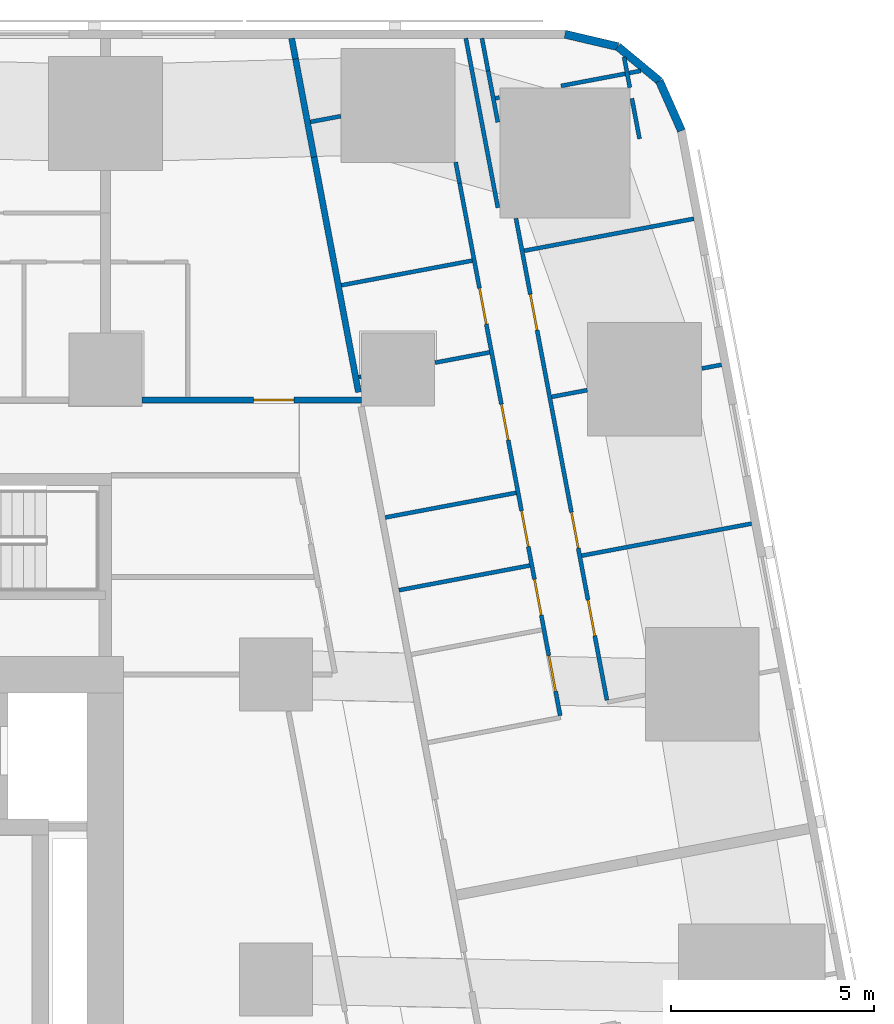
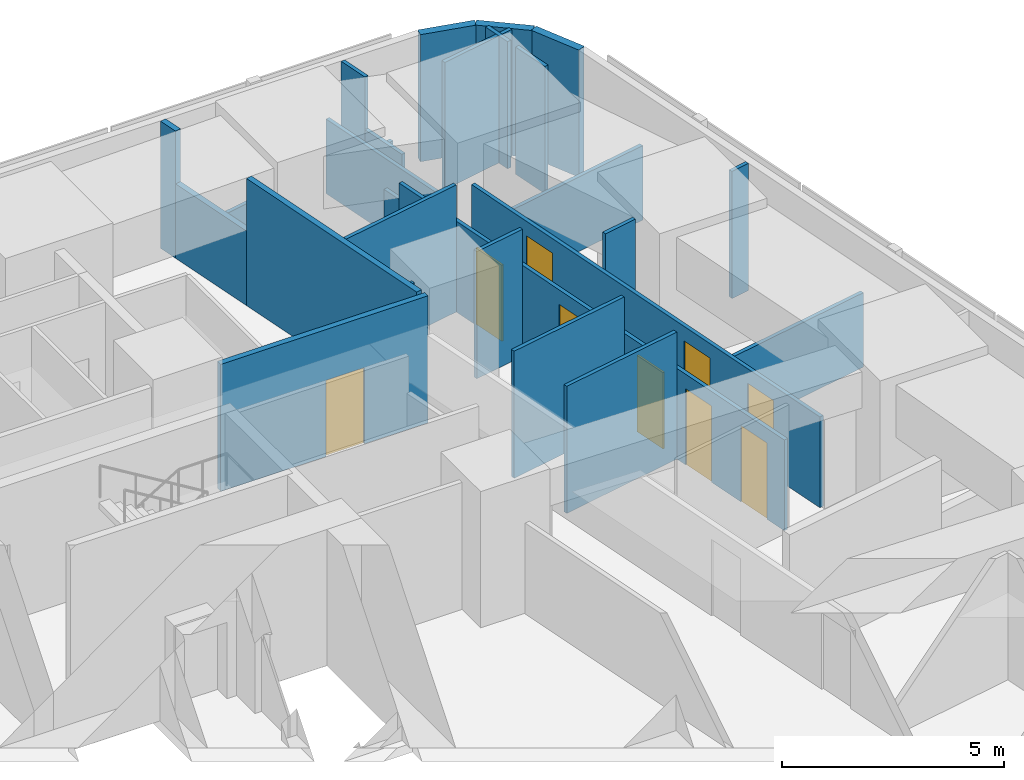
# One storey, part 11 of 16: 27 walls, 9 doors, 9 openings.
"""IFC4 building model written with IfcOpenShell, lengths in metres."""

from ifc_helpers import new_model, si_unit, direction, frame, frame_2d, origin, place, context, subcontext, project, spatial, rectangle, extrude, material, layer, layer_set, type_object, element, fill, save


model = new_model("IFC4")

# Units and contexts
model_context = context("Model", 3, precision=1e-05, world=origin(), true_north=direction((0.0, 1.0)))
body_context = subcontext(model_context, "Body", "Model", "MODEL_VIEW")
ifc_project = project(units=[si_unit("LENGTHUNIT", "METRE"), si_unit("AREAUNIT", "SQUARE_METRE"), si_unit("VOLUMEUNIT", "CUBIC_METRE"), si_unit("PLANEANGLEUNIT", "RADIAN"), si_unit("MASSUNIT", "GRAM", prefix="KILO")], contexts=[model_context])

# Site, building, storey
site_placement = place(None, origin())
site = spatial("IfcSite", under=ifc_project, at=site_placement, CompositionType="ELEMENT")
building_placement = place(site_placement, origin())
building = spatial("IfcBuilding", under=site, at=building_placement, Name="Sheger Commons Tower", CompositionType="ELEMENT")
storey_placement = place(building_placement, frame((0.0, 0.0, 61.25)))
storey = spatial("IfcBuildingStorey", under=building, at=storey_placement, Name="L15", CompositionType="ELEMENT", Elevation=61.25)

# Wall, opening, door
ifc_material_1 = material(Name="Hollow concrete block masonry, skimmed both sides", Category="masonry")
ifc_layer_1 = layer(ifc_material_1, 0.14990234375)
ifc_layer_set_1 = layer_set([ifc_layer_1], Name="CORRIDOR WALL 150")
wall_type_1 = type_object("IfcWallType", Name="CORRIDOR WALL 150", PredefinedType="SOLIDWALL", material=ifc_layer_set_1)
wall_1_placement = place(storey_placement, frame((29.700927734375, 36.75, 0.0), z_axis=(0.0, 0.0, 1.0), x_axis=(1.0, 0.0, 0.0)))
wall_1 = element("IfcWall", 1, at=wall_1_placement, inside=storey, type_object=wall_type_1, Name="Corridor wall L15", PredefinedType="SOLIDWALL", context=body_context, shape_type="SweptSolid", body=[
    extrude(rectangle(XDim=5.399169921875, YDim=0.14990234375, at=frame_2d((2.69970703125, 0.0))), origin(), (0.0, 0.0, 1.0), 3.5),
])
opening_1_placement = place(wall_1_placement, frame((2.7451171875, 0.0, 0.0)))
opening_1 = element("IfcOpeningElement", 2, at=opening_1_placement, cuts=wall_1, Name="Opening D1", PredefinedType="OPENING", context=body_context, shape_type="SweptSolid", body=[
    extrude(rectangle(XDim=1.0, YDim=2.10009765625, at=frame_2d((0.5, 1.050048828125))), frame((0.0, 0.0849609375, 0.0), z_axis=(0.0, -1.0, 0.0), x_axis=(1.0, 0.0, 0.0)), (0.0, 0.0, 1.0), 0.169921875),
])
ifc_material_2 = material(Name="Steel door set, fire rated", Category="steel")
door_type_1 = type_object("IfcDoorType", Name="FLAT ENTRANCE DOOR 1000x2100", OperationType="NOTDEFINED", PredefinedType="DOOR", material=ifc_material_2)
door_1_placement = place(opening_1_placement, origin())
door_1 = element("IfcDoor", 3, at=door_1_placement, inside=storey, type_object=door_type_1, Name="Flat entrance door", OperationType="SINGLE_SWING_RIGHT", OverallHeight=2.10009765625, OverallWidth=1.0, PredefinedType="DOOR", context=body_context, shape_type="SweptSolid", body=[
    extrude(rectangle(XDim=1.0, YDim=2.10009765625, at=frame_2d((0.5, 1.050048828125))), frame((0.0, 0.02490234375, 0.0), z_axis=(0.0, -1.0, 0.0), x_axis=(1.0, 0.0, 0.0)), (0.0, 0.0, 1.0), 0.050048828125),
])
fill(opening_1, door_1)

# Walls
wall_2_placement = place(storey_placement, frame((33.382080078125, 45.64990234375, 0.0), z_axis=(0.0, 0.0, 1.0), x_axis=(0.185657456326, -0.982614527122, 0.0)))
element("IfcWall", 4, at=wall_2_placement, inside=storey, type_object=wall_type_1, Name="Corridor wall L15", PredefinedType="SOLIDWALL", context=body_context, shape_type="SweptSolid", body=[
    extrude(rectangle(XDim=0.516845703125, YDim=0.14990234375, at=frame_2d((0.25830078125, 0.0))), origin(), (0.0, 0.0, 1.0), 3.5),
])
wall_3_placement = place(storey_placement, frame((33.47802734375, 45.14208984375, 0.0), z_axis=(0.0, 0.0, 1.0), x_axis=(0.185393362436, -0.982664388876, 0.0)))
element("IfcWall", 5, at=wall_3_placement, inside=storey, type_object=wall_type_1, Name="Corridor wall L15", PredefinedType="SOLIDWALL", context=body_context, shape_type="SweptSolid", body=[
    extrude(rectangle(XDim=2.45458984375, YDim=0.14990234375, at=frame_2d((1.227294921875, 0.0))), origin(), (0.0, 0.0, 1.0), 2.050048828125),
])
wall_4_placement = place(storey_placement, frame((33.93310546875, 42.72998046875, 0.0), z_axis=(0.0, 0.0, 1.0), x_axis=(0.185617897238, -0.982622000682, 0.0)))
element("IfcWall", 6, at=wall_4_placement, inside=storey, type_object=wall_type_1, Name="Corridor wall L15", PredefinedType="SOLIDWALL", context=body_context, shape_type="SweptSolid", body=[
    extrude(rectangle(XDim=5.88720703125, YDim=0.14990234375, at=frame_2d((2.943603515625, 0.0))), origin(), (0.0, 0.0, 1.0), 3.5),
])
ifc_material_3 = material(Name="Rendered concrete block masonry, dark grey", Category="masonry")
ifc_layer_2 = layer(ifc_material_3, 0.199951171875)
ifc_layer_set_2 = layer_set([ifc_layer_2], Name="FACADE WALL 200")
wall_type_2 = type_object("IfcWallType", Name="FACADE WALL 200", PredefinedType="SOLIDWALL", material=ifc_layer_set_2)
wall_5_placement = place(storey_placement, frame((42.969970703125, 43.376953125, 0.0), z_axis=(0.0, 0.0, 1.0), x_axis=(-0.406002956633, 0.913871762998, 0.0)))
element("IfcWall", 7, at=wall_5_placement, inside=storey, type_object=wall_type_2, Name="Facade wall L15", PredefinedType="SOLIDWALL", context=body_context, shape_type="SweptSolid", body=[
    extrude(rectangle(XDim=1.33740234375, YDim=0.199951171875, at=frame_2d((0.668701171875, 0.0))), origin(), (0.0, 0.0, 1.0), 3.5),
])
wall_6_placement = place(storey_placement, frame((42.427001953125, 44.59912109375, 0.0), z_axis=(0.0, 0.0, 1.0), x_axis=(-0.770091412544, 0.637933551655, 0.0)))
element("IfcWall", 8, at=wall_6_placement, inside=storey, type_object=wall_type_2, Name="Facade wall L15", PredefinedType="SOLIDWALL", context=body_context, shape_type="SweptSolid", body=[
    extrude(rectangle(XDim=1.324462890625, YDim=0.199951171875, at=frame_2d((0.662109375, 0.0))), origin(), (0.0, 0.0, 1.0), 3.5),
])
wall_7_placement = place(storey_placement, frame((41.406982421875, 45.444091796875, 0.0), z_axis=(0.0, 0.0, 1.0), x_axis=(-0.973453091607, 0.228886606077, 0.0)))
element("IfcWall", 9, at=wall_7_placement, inside=storey, type_object=wall_type_2, Name="Facade wall L15", PredefinedType="SOLIDWALL", context=body_context, shape_type="SweptSolid", body=[
    extrude(rectangle(XDim=1.33642578125, YDim=0.199951171875, at=frame_2d((0.668212890625, 0.0))), origin(), (0.0, 0.0, 1.0), 3.5),
])
ifc_material_4 = material(Name="Gypsum board on steel studs", Category="steel")
ifc_layer_3 = layer(ifc_material_4, 0.10009765625)
ifc_layer_set_3 = layer_set([ifc_layer_3], Name="PARTITION 100")
wall_type_3 = type_object("IfcWallType", Name="PARTITION 100", PredefinedType="PARTITIONING", material=ifc_layer_set_3)
wall_8_placement = place(storey_placement, frame((38.4541015625, 41.48291015625, 0.0), z_axis=(0.0, 0.0, 1.0), x_axis=(-0.185609245326, 0.982623634994, 0.0)))
element("IfcWall", 10, at=wall_8_placement, inside=storey, type_object=wall_type_3, Name="Partition L15", PredefinedType="PARTITIONING", context=body_context, shape_type="SweptSolid", body=[
    extrude(rectangle(XDim=4.24072265625, YDim=0.10009765625, at=frame_2d((2.120361328125, 0.0))), origin(), (0.0, 0.0, 1.0), 2.050048828125),
])
wall_9_placement = place(storey_placement, frame((41.55908203125, 45.18798828125, 0.0), z_axis=(0.0, 0.0, 1.0), x_axis=(0.185063078849, -0.98272664401, 0.0)))
element("IfcWall", 11, at=wall_9_placement, inside=storey, type_object=wall_type_3, Name="Partition L15", PredefinedType="PARTITIONING", context=body_context, shape_type="SweptSolid", body=[
    extrude(rectangle(XDim=0.76123046875, YDim=0.10009765625, at=frame_2d((0.380615234375, 0.0))), origin(), (0.0, 0.0, 1.0), 3.5),
])
wall_10_placement = place(storey_placement, frame((41.7509765625, 44.169921875, 0.0), z_axis=(0.0, 0.0, 1.0), x_axis=(0.186024046654, -0.98254519187, 0.0)))
element("IfcWall", 12, at=wall_10_placement, inside=storey, type_object=wall_type_3, Name="Partition L15", PredefinedType="PARTITIONING", context=body_context, shape_type="SweptSolid", body=[
    extrude(rectangle(XDim=1.010498046875, YDim=0.10009765625, at=frame_2d((0.50537109375, 0.0))), origin(), (0.0, 0.0, 1.0), 3.5),
])
wall_11_placement = place(storey_placement, frame((38.06298828125, 45.64990234375, 0.0), z_axis=(0.0, 0.0, 1.0), x_axis=(0.186109918919, -0.982528929895, 0.0)))
element("IfcWall", 13, at=wall_11_placement, inside=storey, type_object=wall_type_3, Name="Partition L15", PredefinedType="PARTITIONING", context=body_context, shape_type="SweptSolid", body=[
    extrude(rectangle(XDim=0.817138671875, YDim=0.10009765625, at=frame_2d((0.40869140625, 0.0))), origin(), (0.0, 0.0, 1.0), 3.5),
])
wall_12_placement = place(storey_placement, frame((38.215087890625, 44.846923828125, 0.0), z_axis=(0.0, 0.0, 1.0), x_axis=(0.185449486507, -0.982653798626, 0.0)))
element("IfcWall", 14, at=wall_12_placement, inside=storey, type_object=wall_type_3, Name="Partition L15", PredefinedType="PARTITIONING", context=body_context, shape_type="SweptSolid", body=[
    extrude(rectangle(XDim=1.2822265625, YDim=0.10009765625, at=frame_2d((0.64111328125, 0.0))), origin(), (0.0, 0.0, 1.0), 2.050048828125),
])

# Wall, openings, doors
wall_13_placement = place(storey_placement, frame((38.89990234375, 41.219970703125, 0.0), z_axis=(0.0, 0.0, 1.0), x_axis=(0.185521843026, -0.98264014052, 0.0)))
wall_13 = element("IfcWall", 15, at=wall_13_placement, inside=storey, type_object=wall_type_3, Name="Partition L15", PredefinedType="PARTITIONING", context=body_context, shape_type="SweptSolid", body=[
    extrude(rectangle(XDim=12.05810546875, YDim=0.10009765625, at=frame_2d((6.029052734375, 0.0))), origin(), (0.0, 0.0, 1.0), 2.5),
])
opening_2_placement = place(wall_13_placement, frame((9.550048828125, 0.0, 0.0)))
opening_2 = element("IfcOpeningElement", 16, at=opening_2_placement, cuts=wall_13, Name="Opening D2", PredefinedType="OPENING", context=body_context, shape_type="SweptSolid", body=[
    extrude(rectangle(XDim=0.89990234375, YDim=2.10009765625, at=frame_2d((0.449951171875, 1.050048828125))), frame((0.0, 0.06005859375, 0.0), z_axis=(0.0, -1.0, 0.0), x_axis=(1.0, 0.0, 0.0)), (0.0, 0.0, 1.0), 0.1201171875),
])
opening_3_placement = place(wall_13_placement, frame((7.35205078125, 0.0, 0.0)))
opening_3 = element("IfcOpeningElement", 17, at=opening_3_placement, cuts=wall_13, Name="Opening D2", PredefinedType="OPENING", context=body_context, shape_type="SweptSolid", body=[
    extrude(rectangle(XDim=0.89990234375, YDim=2.10009765625, at=frame_2d((0.449951171875, 1.050048828125))), frame((0.0, 0.06005859375, 0.0), z_axis=(0.0, -1.0, 0.0), x_axis=(1.0, 0.0, 0.0)), (0.0, 0.0, 1.0), 0.1201171875),
])
opening_4_placement = place(wall_13_placement, frame((1.89990234375, 0.0, 0.0)))
opening_4 = element("IfcOpeningElement", 18, at=opening_4_placement, cuts=wall_13, Name="Opening D2", PredefinedType="OPENING", context=body_context, shape_type="SweptSolid", body=[
    extrude(rectangle(XDim=0.89990234375, YDim=2.10009765625, at=frame_2d((0.449951171875, 1.050048828125))), frame((0.0, 0.06005859375, 0.0), z_axis=(0.0, -1.0, 0.0), x_axis=(1.0, 0.0, 0.0)), (0.0, 0.0, 1.0), 0.1201171875),
])
ifc_material_5 = material(Name="Timber door set", Category="wood")
door_type_2 = type_object("IfcDoorType", Name="INTERNAL DOOR 900x2100", OperationType="NOTDEFINED", PredefinedType="DOOR", material=ifc_material_5)
door_2_placement = place(opening_2_placement, origin())
door_2 = element("IfcDoor", 19, at=door_2_placement, inside=storey, type_object=door_type_2, Name="Main bedroom door", OperationType="SINGLE_SWING_LEFT", OverallHeight=2.10009765625, OverallWidth=0.89990234375, PredefinedType="DOOR", context=body_context, shape_type="SweptSolid", body=[
    extrude(rectangle(XDim=0.89990234375, YDim=2.10009765625, at=frame_2d((0.449951171875, 1.050048828125))), frame((0.0, 0.02490234375, 0.0), z_axis=(0.0, -1.0, 0.0), x_axis=(1.0, 0.0, 0.0)), (0.0, 0.0, 1.0), 0.050048828125),
])
fill(opening_2, door_2)
door_3_placement = place(opening_3_placement, origin())
door_3 = element("IfcDoor", 20, at=door_3_placement, inside=storey, type_object=door_type_2, Name="Bedroom 2 door", OperationType="SINGLE_SWING_RIGHT", OverallHeight=2.10009765625, OverallWidth=0.89990234375, PredefinedType="DOOR", context=body_context, shape_type="SweptSolid", body=[
    extrude(rectangle(XDim=0.89990234375, YDim=2.10009765625, at=frame_2d((0.449951171875, 1.050048828125))), frame((0.0, 0.02490234375, 0.0), z_axis=(0.0, -1.0, 0.0), x_axis=(1.0, 0.0, 0.0)), (0.0, 0.0, 1.0), 0.050048828125),
])
fill(opening_3, door_3)
door_4_placement = place(opening_4_placement, origin())
door_4 = element("IfcDoor", 21, at=door_4_placement, inside=storey, type_object=door_type_2, Name="Bedroom 3 door", OperationType="SINGLE_SWING_LEFT", OverallHeight=2.10009765625, OverallWidth=0.89990234375, PredefinedType="DOOR", context=body_context, shape_type="SweptSolid", body=[
    extrude(rectangle(XDim=0.89990234375, YDim=2.10009765625, at=frame_2d((0.449951171875, 1.050048828125))), frame((0.0, 0.02490234375, 0.0), z_axis=(0.0, -1.0, 0.0), x_axis=(1.0, 0.0, 0.0)), (0.0, 0.0, 1.0), 0.050048828125),
])
fill(opening_4, door_4)

# Wall
wall_14_placement = place(storey_placement, frame((37.4169921875, 42.60205078125, 0.0), z_axis=(0.0, 0.0, 1.0), x_axis=(0.185672001976, -0.982611778721, 0.0)))
element("IfcWall", 22, at=wall_14_placement, inside=storey, type_object=wall_type_3, Name="Partition L15", PredefinedType="PARTITIONING", context=body_context, shape_type="SweptSolid", body=[
    extrude(rectangle(XDim=0.52197265625, YDim=0.10009765625, at=frame_2d((0.260986328125, 0.0))), origin(), (0.0, 0.0, 1.0), 2.050048828125),
])

# Wall, openings, doors
wall_15_placement = place(storey_placement, frame((37.513916015625, 42.089111328125, 0.0), z_axis=(0.0, 0.0, 1.0), x_axis=(0.1856087397, -0.982623730503, 0.0)))
wall_15 = element("IfcWall", 23, at=wall_15_placement, inside=storey, type_object=wall_type_3, Name="Partition L15", PredefinedType="PARTITIONING", context=body_context, shape_type="SweptSolid", body=[
    extrude(rectangle(XDim=13.329833984375, YDim=0.10009765625, at=frame_2d((6.6650390625, 0.0))), origin(), (0.0, 0.0, 1.0), 2.5),
])
opening_5_placement = place(wall_15_placement, frame((11.824951171875, 0.0, 0.0)))
opening_5 = element("IfcOpeningElement", 24, at=opening_5_placement, cuts=wall_15, Name="Opening D2", PredefinedType="OPENING", context=body_context, shape_type="SweptSolid", body=[
    extrude(rectangle(XDim=0.89990234375, YDim=2.10009765625, at=frame_2d((0.449951171875, 1.050048828125))), frame((0.0, 0.06005859375, 0.0), z_axis=(0.0, -1.0, 0.0), x_axis=(1.0, 0.0, 0.0)), (0.0, 0.0, 1.0), 0.1201171875),
])
opening_6_placement = place(wall_15_placement, frame((8.202880859375, 0.0, 0.0)))
opening_6 = element("IfcOpeningElement", 25, at=opening_6_placement, cuts=wall_15, Name="Opening D2", PredefinedType="OPENING", context=body_context, shape_type="SweptSolid", body=[
    extrude(rectangle(XDim=0.89990234375, YDim=2.10009765625, at=frame_2d((0.449951171875, 1.050048828125))), frame((0.0, 0.06005859375, 0.0), z_axis=(0.0, -1.0, 0.0), x_axis=(1.0, 0.0, 0.0)), (0.0, 0.0, 1.0), 0.1201171875),
])
opening_7_placement = place(wall_15_placement, frame((2.6298828125, 0.0, 0.0)))
opening_7 = element("IfcOpeningElement", 26, at=opening_7_placement, cuts=wall_15, Name="Opening D2", PredefinedType="OPENING", context=body_context, shape_type="SweptSolid", body=[
    extrude(rectangle(XDim=0.89990234375, YDim=2.10009765625, at=frame_2d((0.449951171875, 1.050048828125))), frame((0.0, 0.06005859375, 0.0), z_axis=(0.0, -1.0, 0.0), x_axis=(1.0, 0.0, 0.0)), (0.0, 0.0, 1.0), 0.1201171875),
])
opening_8_placement = place(wall_15_placement, frame((9.916015625, 0.0, 0.0)))
opening_8 = element("IfcOpeningElement", 27, at=opening_8_placement, cuts=wall_15, Name="Opening D2", PredefinedType="OPENING", context=body_context, shape_type="SweptSolid", body=[
    extrude(rectangle(XDim=0.89990234375, YDim=2.10009765625, at=frame_2d((0.449951171875, 1.050048828125))), frame((0.0, 0.06005859375, 0.0), z_axis=(0.0, -1.0, 0.0), x_axis=(1.0, 0.0, 0.0)), (0.0, 0.0, 1.0), 0.1201171875),
])
opening_9_placement = place(wall_15_placement, frame((5.534912109375, 0.0, 0.0)))
opening_9 = element("IfcOpeningElement", 28, at=opening_9_placement, cuts=wall_15, Name="Opening D2", PredefinedType="OPENING", context=body_context, shape_type="SweptSolid", body=[
    extrude(rectangle(XDim=0.89990234375, YDim=2.10009765625, at=frame_2d((0.449951171875, 1.050048828125))), frame((0.0, 0.06005859375, 0.0), z_axis=(0.0, -1.0, 0.0), x_axis=(1.0, 0.0, 0.0)), (0.0, 0.0, 1.0), 0.1201171875),
])
door_5_placement = place(opening_5_placement, origin())
door_5 = element("IfcDoor", 29, at=door_5_placement, inside=storey, type_object=door_type_2, Name="Bathroom door", OperationType="SINGLE_SWING_LEFT", OverallHeight=2.10009765625, OverallWidth=0.89990234375, PredefinedType="DOOR", context=body_context, shape_type="SweptSolid", body=[
    extrude(rectangle(XDim=0.89990234375, YDim=2.10009765625, at=frame_2d((0.449951171875, 1.050048828125))), frame((0.0, 0.02490234375, 0.0), z_axis=(0.0, -1.0, 0.0), x_axis=(1.0, 0.0, 0.0)), (0.0, 0.0, 1.0), 0.050048828125),
])
fill(opening_5, door_5)
door_6_placement = place(opening_6_placement, origin())
door_6 = element("IfcDoor", 30, at=door_6_placement, inside=storey, type_object=door_type_2, Name="Laundry room door", OperationType="SINGLE_SWING_LEFT", OverallHeight=2.10009765625, OverallWidth=0.89990234375, PredefinedType="DOOR", context=body_context, shape_type="SweptSolid", body=[
    extrude(rectangle(XDim=0.89990234375, YDim=2.10009765625, at=frame_2d((0.449951171875, 1.050048828125))), frame((0.0, 0.02490234375, 0.0), z_axis=(0.0, -1.0, 0.0), x_axis=(1.0, 0.0, 0.0)), (0.0, 0.0, 1.0), 0.050048828125),
])
fill(opening_6, door_6)
door_7_placement = place(opening_7_placement, origin())
door_7 = element("IfcDoor", 31, at=door_7_placement, inside=storey, type_object=door_type_2, Name="Laundry room door", OperationType="SINGLE_SWING_LEFT", OverallHeight=2.10009765625, OverallWidth=0.89990234375, PredefinedType="DOOR", context=body_context, shape_type="SweptSolid", body=[
    extrude(rectangle(XDim=0.89990234375, YDim=2.10009765625, at=frame_2d((0.449951171875, 1.050048828125))), frame((0.0, 0.02490234375, 0.0), z_axis=(0.0, -1.0, 0.0), x_axis=(1.0, 0.0, 0.0)), (0.0, 0.0, 1.0), 0.050048828125),
])
fill(opening_7, door_7)
door_8_placement = place(opening_8_placement, origin())
door_8 = element("IfcDoor", 32, at=door_8_placement, inside=storey, type_object=door_type_2, Name="Store door", OperationType="SINGLE_SWING_RIGHT", OverallHeight=2.10009765625, OverallWidth=0.89990234375, PredefinedType="DOOR", context=body_context, shape_type="SweptSolid", body=[
    extrude(rectangle(XDim=0.89990234375, YDim=2.10009765625, at=frame_2d((0.449951171875, 1.050048828125))), frame((0.0, 0.02490234375, 0.0), z_axis=(0.0, -1.0, 0.0), x_axis=(1.0, 0.0, 0.0)), (0.0, 0.0, 1.0), 0.050048828125),
])
fill(opening_8, door_8)
door_9_placement = place(opening_9_placement, origin())
door_9 = element("IfcDoor", 33, at=door_9_placement, inside=storey, type_object=door_type_2, Name="Store door", OperationType="SINGLE_SWING_RIGHT", OverallHeight=2.10009765625, OverallWidth=0.89990234375, PredefinedType="DOOR", context=body_context, shape_type="SweptSolid", body=[
    extrude(rectangle(XDim=0.89990234375, YDim=2.10009765625, at=frame_2d((0.449951171875, 1.050048828125))), frame((0.0, 0.02490234375, 0.0), z_axis=(0.0, -1.0, 0.0), x_axis=(1.0, 0.0, 0.0)), (0.0, 0.0, 1.0), 0.050048828125),
])
fill(opening_9, door_9)

# Walls
wall_16_placement = place(storey_placement, frame((41.968017578125, 44.85009765625, 0.0), z_axis=(0.0, 0.0, 1.0), x_axis=(-0.982543651732, -0.186032181195, 0.0)))
element("IfcWall", 34, at=wall_16_placement, inside=storey, type_object=wall_type_3, Name="Partition L15", PredefinedType="PARTITIONING", context=body_context, shape_type="SweptSolid", body=[
    extrude(rectangle(XDim=1.994873046875, YDim=0.10009765625, at=frame_2d((0.99755859375, 0.0))), origin(), (0.0, 0.0, 1.0), 3.5),
])
wall_17_placement = place(storey_placement, frame((38.491943359375, 44.193115234375, 0.0), z_axis=(0.0, 0.0, 1.0), x_axis=(-0.981954528773, -0.189117168504, 0.0)))
element("IfcWall", 35, at=wall_17_placement, inside=storey, type_object=wall_type_3, Name="Partition L15", PredefinedType="PARTITIONING", context=body_context, shape_type="SweptSolid", body=[
    extrude(rectangle(XDim=0.1005859375, YDim=0.10009765625, at=frame_2d((0.05029296875, 0.0))), origin(), (0.0, 0.0, 1.0), 2.050048828125),
])
wall_18_placement = place(storey_placement, frame((43.277099609375, 41.2119140625, 0.0), z_axis=(0.0, 0.0, 1.0), x_axis=(-0.982665405803, -0.185387972203, 0.0)))
element("IfcWall", 36, at=wall_18_placement, inside=storey, type_object=wall_type_3, Name="Partition L15", PredefinedType="PARTITIONING", context=body_context, shape_type="SweptSolid", body=[
    extrude(rectangle(XDim=4.249755859375, YDim=0.10009765625, at=frame_2d((2.125, 0.0))), origin(), (0.0, 0.0, 1.0), 2.050048828125),
])
wall_19_placement = place(storey_placement, frame((43.955078125, 37.6201171875, 0.0), z_axis=(0.0, 0.0, 1.0), x_axis=(-0.982543152073, -0.186034820164, 0.0)))
element("IfcWall", 37, at=wall_19_placement, inside=storey, type_object=wall_type_3, Name="Partition L15", PredefinedType="PARTITIONING", context=body_context, shape_type="SweptSolid", body=[
    extrude(rectangle(XDim=0.489501953125, YDim=0.10009765625, at=frame_2d((0.24462890625, 0.0))), origin(), (0.0, 0.0, 1.0), 3.5),
])
wall_20_placement = place(storey_placement, frame((40.654052734375, 36.99609375, 0.0), z_axis=(0.0, 0.0, 1.0), x_axis=(-0.982672962335, -0.185347913655, 0.0)))
element("IfcWall", 38, at=wall_20_placement, inside=storey, type_object=wall_type_3, Name="Partition L15", PredefinedType="PARTITIONING", context=body_context, shape_type="SweptSolid", body=[
    extrude(rectangle(XDim=0.890380859375, YDim=0.10009765625, at=frame_2d((0.4453125, 0.0))), origin(), (0.0, 0.0, 1.0), 3.5),
])
wall_21_placement = place(storey_placement, frame((44.693115234375, 33.712890625, 0.0), z_axis=(0.0, 0.0, 1.0), x_axis=(-0.982623519589, -0.185609856287, 0.0)))
element("IfcWall", 39, at=wall_21_placement, inside=storey, type_object=wall_type_3, Name="Partition L15", PredefinedType="PARTITIONING", context=body_context, shape_type="SweptSolid", body=[
    extrude(rectangle(XDim=4.249755859375, YDim=0.10009765625, at=frame_2d((2.125, 0.0))), origin(), (0.0, 0.0, 1.0), 2.050048828125),
])
wall_22_placement = place(storey_placement, frame((34.590087890625, 43.73388671875, 0.0), z_axis=(0.0, 0.0, 1.0), x_axis=(-0.98274036184, -0.184990219229, 0.0)))
element("IfcWall", 40, at=wall_22_placement, inside=storey, type_object=wall_type_3, Name="Partition L15", PredefinedType="PARTITIONING", context=body_context, shape_type="SweptSolid", body=[
    extrude(rectangle(XDim=0.756103515625, YDim=0.10009765625, at=frame_2d((0.3779296875, 0.0))), origin(), (0.0, 0.0, 1.0), 2.050048828125),
])
wall_23_placement = place(storey_placement, frame((37.822998046875, 40.181884765625, 0.0), z_axis=(0.0, 0.0, 1.0), x_axis=(-0.982664729897, -0.18539155487, 0.0)))
element("IfcWall", 41, at=wall_23_placement, inside=storey, type_object=wall_type_3, Name="Partition L15", PredefinedType="PARTITIONING", context=body_context, shape_type="SweptSolid", body=[
    extrude(rectangle(XDim=3.273681640625, YDim=0.10009765625, at=frame_2d((1.63671875, 0.0))), origin(), (0.0, 0.0, 1.0), 3.5),
])
wall_24_placement = place(storey_placement, frame((38.25, 37.925048828125, 0.0), z_axis=(0.0, 0.0, 1.0), x_axis=(-0.982650574676, -0.185466568658, 0.0)))
element("IfcWall", 42, at=wall_24_placement, inside=storey, type_object=wall_type_3, Name="Partition L15", PredefinedType="PARTITIONING", context=body_context, shape_type="SweptSolid", body=[
    extrude(rectangle(XDim=1.36376953125, YDim=0.10009765625, at=frame_2d((0.681884765625, 0.0))), origin(), (0.0, 0.0, 1.0), 3.5),
])
wall_25_placement = place(storey_placement, frame((35.090087890625, 37.327880859375, 0.0), z_axis=(0.0, 0.0, 1.0), x_axis=(-0.982590620415, -0.185783940835, 0.0)))
element("IfcWall", 43, at=wall_25_placement, inside=storey, type_object=wall_type_3, Name="Partition L15", PredefinedType="PARTITIONING", context=body_context, shape_type="SweptSolid", body=[
    extrude(rectangle(XDim=0.05908203125, YDim=0.10009765625, at=frame_2d((0.029541015625, 0.0))), origin(), (0.0, 0.0, 1.0), 3.5),
])
wall_26_placement = place(storey_placement, frame((39.239990234375, 32.68310546875, 0.0), z_axis=(0.0, 0.0, 1.0), x_axis=(-0.982607026909, -0.185697147715, 0.0)))
element("IfcWall", 44, at=wall_26_placement, inside=storey, type_object=wall_type_3, Name="Partition L15", PredefinedType="PARTITIONING", context=body_context, shape_type="SweptSolid", body=[
    extrude(rectangle(XDim=3.27490234375, YDim=0.10009765625, at=frame_2d((1.637451171875, 0.0))), origin(), (0.0, 0.0, 1.0), 3.5),
])
wall_27_placement = place(storey_placement, frame((38.902099609375, 34.470947265625, 0.0), z_axis=(0.0, 0.0, 1.0), x_axis=(-0.982674977865, -0.185337227447, 0.0)))
element("IfcWall", 45, at=wall_27_placement, inside=storey, type_object=wall_type_3, Name="Partition L15", PredefinedType="PARTITIONING", context=body_context, shape_type="SweptSolid", body=[
    extrude(rectangle(XDim=3.274658203125, YDim=0.10009765625, at=frame_2d((1.63720703125, 0.0))), origin(), (0.0, 0.0, 1.0), 3.5),
])

save(model, "model.ifc")
